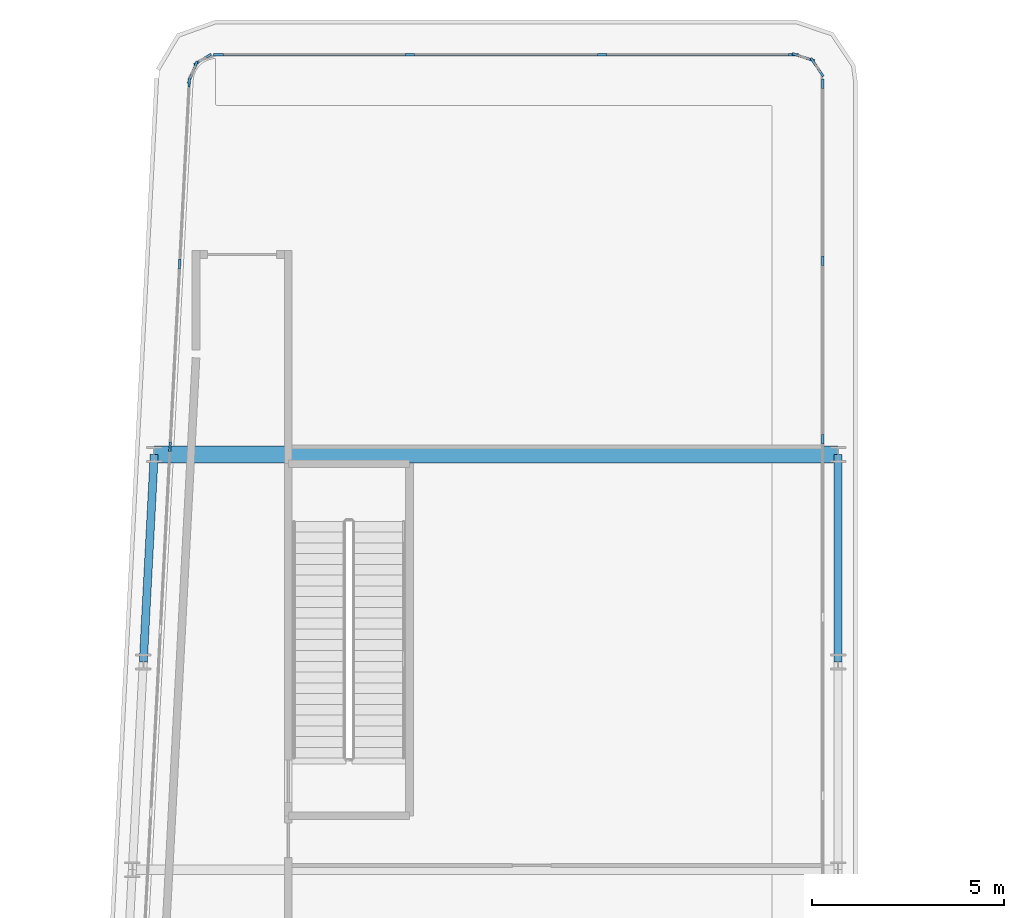
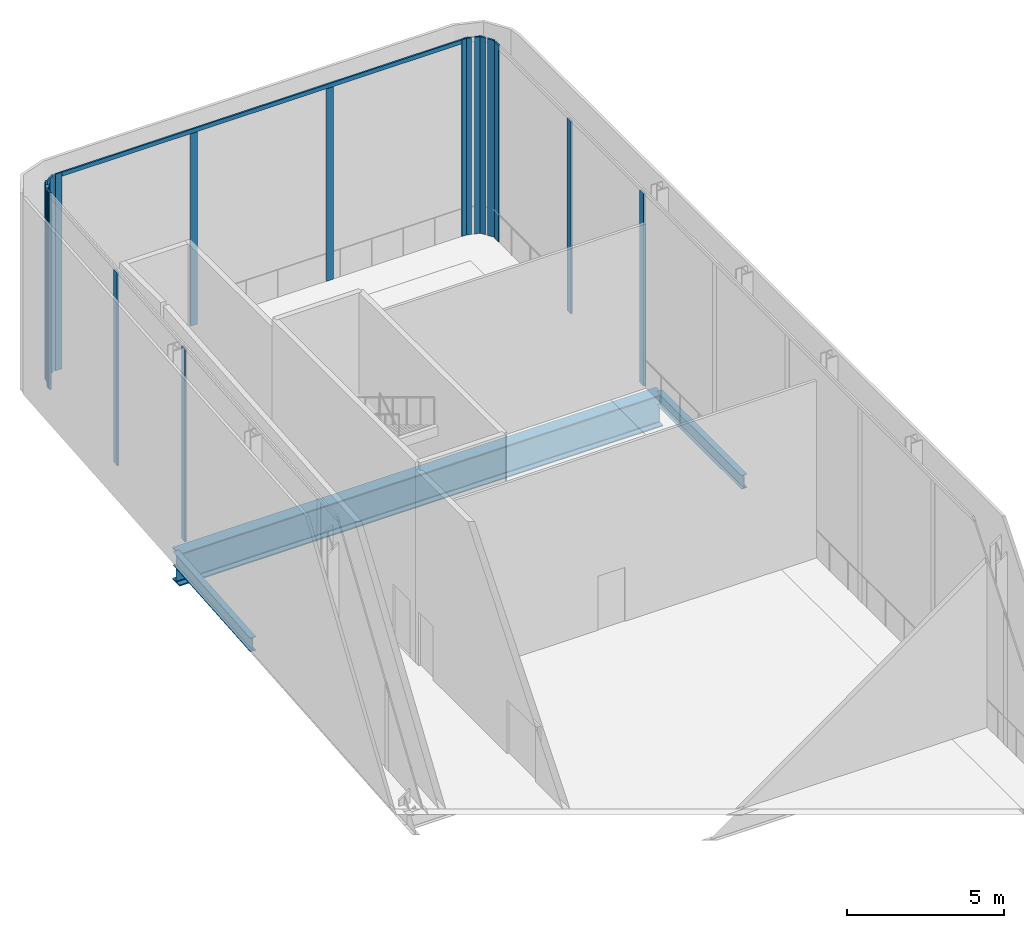
# One storey, part 18 of 38: 19 members, 3 beams, 7 elements without a shape of their own.
"""IFC4 building model written with IfcOpenShell, lengths in metres."""

from ifc_helpers import new_model, si_unit, direction, frame, origin, origin_2d, place, context, subcontext, project, spatial, rectangle, i_section, extrude, material, layer, layer_set, material_profile, profile_set, type_object, element, aggregate, save


model = new_model("IFC4")

# Units and contexts
model_context = context("Model", 3, precision=1e-05, world=origin(), true_north=direction((0.0, 1.0)))
body_context = subcontext(model_context, "Body", "Model", "MODEL_VIEW")
ifc_project = project(units=[si_unit("LENGTHUNIT", "METRE"), si_unit("AREAUNIT", "SQUARE_METRE"), si_unit("VOLUMEUNIT", "CUBIC_METRE"), si_unit("PLANEANGLEUNIT", "RADIAN"), si_unit("MASSUNIT", "GRAM", prefix="KILO")], contexts=[model_context])

# Site, building, storey
site_placement = place(None, origin())
site = spatial("IfcSite", under=ifc_project, at=site_placement, CompositionType="ELEMENT")
building_placement = place(site_placement, origin())
building = spatial("IfcBuilding", under=site, at=building_placement, Name="Kheshtan School and Residences Tower", CompositionType="ELEMENT")
storey_placement = place(building_placement, frame((0.0, 0.0, 203.300048828125)))
storey = spatial("IfcBuildingStorey", under=building, at=storey_placement, Name="L48", CompositionType="ELEMENT", Elevation=203.300048828125)

# Beams
ifc_material_1 = material(Name="Steel ASTM A992 Grade 50", Category="steel")
ifc_material_profile_1 = material_profile(ifc_material_1, i_section(OverallWidth=0.208984375, OverallDepth=0.532958984375, WebThickness=0.01025390625, FlangeThickness=0.015625, FilletRadius=0.013916015625, at=origin_2d()), Name="W530x92")
ifc_profile_set_1 = profile_set([ifc_material_profile_1], Name="Steel ASTM A992 Grade 50")
beam_type_1 = type_object("IfcBeamType", Name="Beam SP3 W530x92 ASTM A992 Grade 50", PredefinedType="BEAM", material=ifc_profile_set_1)
beam_1_placement = place(storey_placement, frame((47.60009765625, 88.800048828125, -0.41650390625), z_axis=(0.0, -1.0, 0.0), x_axis=(1.0, 0.0, 0.0)))
element("IfcBeam", 1, at=beam_1_placement, inside=storey, type_object=beam_type_1, Name="Spandrel beam C099-C091", PredefinedType="BEAM", context=body_context, shape_type="SweptSolid", body=[
    extrude(i_section(OverallWidth=0.208984375, OverallDepth=0.532958984375, WebThickness=0.01025390625, FlangeThickness=0.015625, FilletRadius=0.013916015625, at=origin_2d()), origin(), (0.0, 0.0, 1.0), 5.400146484375),
])
beam_2_placement = place(storey_placement, frame((29.527099609375, 83.39990234375, -0.41650390625), z_axis=(0.05250670125, 0.998620571751, 0.0), x_axis=(-0.998620571751, 0.05250670125, 0.0)))
element("IfcBeam", 2, at=beam_2_placement, inside=storey, type_object=beam_type_1, Name="Spandrel beam C090-C098", PredefinedType="BEAM", context=body_context, shape_type="SweptSolid", body=[
    extrude(i_section(OverallWidth=0.208984375, OverallDepth=0.532958984375, WebThickness=0.01025390625, FlangeThickness=0.015625, FilletRadius=0.013916015625, at=origin_2d()), origin(), (0.0, 0.0, 1.0), 5.40771484375),
])

# Curtain wall, members
ifc_material_2 = material(Name="Clear low-e glass in thermally broken aluminium frame", Category="aluminium")
ifc_layer = layer(ifc_material_2, 0.25)
ifc_layer_set = layer_set([ifc_layer], Name="Curtain wall CW-K")
curtain_wall_type = type_object("IfcCurtainWallType", Name="Curtain wall CW-K", PredefinedType="NOTDEFINED", material=ifc_layer_set)
curtain_wall_1_placement = place(storey_placement, origin())
curtain_wall_1 = element("IfcCurtainWall", 3, at=curtain_wall_1_placement, inside=storey, type_object=curtain_wall_type, Name="Curtain wall CWK18", PredefinedType="NOTDEFINED")
ifc_material_3 = material(Name="Thermally broken aluminium, dark bronze anodised", Category="aluminium")
ifc_material_profile_2 = material_profile(ifc_material_3, rectangle(XDim=0.06005859375, YDim=0.25, at=origin_2d()), Name="CW-K mullion 60x250")
ifc_profile_set_2 = profile_set([ifc_material_profile_2], Name="Thermally broken aluminium, dark bronze anodised")
member_type_1 = type_object("IfcMemberType", Name="CW-K mullion 60x250", PredefinedType="MULLION", material=ifc_profile_set_2)
member_1_placement = place(storey_placement, frame((30.221923828125, 89.001953125, 0.0), z_axis=(0.0, 0.0, 1.0), x_axis=(-0.998617497599, 0.05256513568, 0.0)))
member_1 = element("IfcMember", 4, at=member_1_placement, type_object=member_type_1, Name="CWK18 mullion 13", PredefinedType="MULLION", context=body_context, shape_type="SweptSolid", body=[
    extrude(rectangle(XDim=0.06005859375, YDim=0.25, at=origin_2d()), origin(), (0.0, 0.0, 1.0), 7.489990234375),
])
member_2_placement = place(storey_placement, frame((30.471923828125, 93.754150390625, 0.0), z_axis=(0.0, 0.0, 1.0), x_axis=(-0.998617497599, 0.05256513568, 0.0)))
member_2 = element("IfcMember", 5, at=member_2_placement, type_object=member_type_1, Name="CWK18 mullion 14", PredefinedType="MULLION", context=body_context, shape_type="SweptSolid", body=[
    extrude(rectangle(XDim=0.06005859375, YDim=0.25, at=origin_2d()), origin(), (0.0, 0.0, 1.0), 7.489990234375),
])
member_3_placement = place(storey_placement, frame((30.720458984375, 98.476318359375, 0.0), z_axis=(0.0, 0.0, 1.0), x_axis=(-0.998617497599, 0.05256513568, 0.0)))
member_3 = element("IfcMember", 6, at=member_3_placement, type_object=member_type_1, Name="CWK18 mullion 15", PredefinedType="MULLION", context=body_context, shape_type="SweptSolid", body=[
    extrude(rectangle(XDim=0.06005859375, YDim=0.25, at=origin_2d()), origin(), (0.0, 0.0, 1.0), 7.64990234375),
])
aggregate(curtain_wall_1, [member_1, member_2, member_3])

curtain_wall_2_placement = place(storey_placement, origin())
curtain_wall_2 = element("IfcCurtainWall", 7, at=curtain_wall_2_placement, inside=storey, type_object=curtain_wall_type, Name="Curtain wall CWK19", PredefinedType="NOTDEFINED")
member_4_placement = place(storey_placement, frame((30.740234375, 98.56591796875, 0.0), z_axis=(0.0, 0.0, 1.0), x_axis=(-0.928635523576, 0.370993348125, 0.0)))
member_4 = element("IfcMember", 8, at=member_4_placement, type_object=member_type_1, Name="CWK19 mullion 1", PredefinedType="MULLION", context=body_context, shape_type="SweptSolid", body=[
    extrude(rectangle(XDim=0.06005859375, YDim=0.25, at=origin_2d()), origin(), (0.0, 0.0, 1.0), 7.64990234375),
])
member_5_placement = place(storey_placement, frame((30.87890625, 98.913330078125, 0.0), z_axis=(0.0, 0.0, 1.0), x_axis=(-0.928635523576, 0.370993348125, 0.0)))
member_5 = element("IfcMember", 9, at=member_5_placement, type_object=member_type_1, Name="CWK19 mullion 2", PredefinedType="MULLION", context=body_context, shape_type="SweptSolid", body=[
    extrude(rectangle(XDim=0.06005859375, YDim=0.25, at=origin_2d()), origin(), (0.0, 0.0, 1.0), 7.64990234375),
])
aggregate(curtain_wall_2, [member_4, member_5])

curtain_wall_3_placement = place(storey_placement, origin())
curtain_wall_3 = element("IfcCurtainWall", 10, at=curtain_wall_3_placement, inside=storey, type_object=curtain_wall_type, Name="Curtain wall CWK20", PredefinedType="NOTDEFINED")
member_6_placement = place(storey_placement, frame((30.9560546875, 99.0048828125, 0.0), z_axis=(0.0, 0.0, 1.0), x_axis=(-0.52392646803, 0.851763497749, 0.0)))
member_6 = element("IfcMember", 11, at=member_6_placement, type_object=member_type_1, Name="CWK20 mullion 1", PredefinedType="MULLION", context=body_context, shape_type="SweptSolid", body=[
    extrude(rectangle(XDim=0.06005859375, YDim=0.25, at=origin_2d()), origin(), (0.0, 0.0, 1.0), 7.64990234375),
])
member_7_placement = place(storey_placement, frame((31.18310546875, 99.14453125, 0.0), z_axis=(0.0, 0.0, 1.0), x_axis=(-0.52392646803, 0.851763497749, 0.0)))
member_7 = element("IfcMember", 12, at=member_7_placement, type_object=member_type_1, Name="CWK20 mullion 2", PredefinedType="MULLION", context=body_context, shape_type="SweptSolid", body=[
    extrude(rectangle(XDim=0.06005859375, YDim=0.25, at=origin_2d()), origin(), (0.0, 0.0, 1.0), 7.64990234375),
])
aggregate(curtain_wall_3, [member_6, member_7])

curtain_wall_4_placement = place(storey_placement, origin())
curtain_wall_4 = element("IfcCurtainWall", 13, at=curtain_wall_4_placement, inside=storey, type_object=curtain_wall_type, Name="Curtain wall CWK21", PredefinedType="NOTDEFINED")
member_8_placement = place(storey_placement, frame((31.48388671875, 99.199951171875, 0.0), z_axis=(0.0, 0.0, 1.0), x_axis=(0.0, 1.0, 0.0)))
member_8 = element("IfcMember", 14, at=member_8_placement, type_object=member_type_1, Name="CWK21 mullion 1", PredefinedType="MULLION", context=body_context, shape_type="SweptSolid", body=[
    extrude(rectangle(XDim=0.06005859375, YDim=0.25, at=origin_2d()), origin(), (0.0, 0.0, 1.0), 7.64990234375),
])
member_9_placement = place(storey_placement, frame((36.459228515625, 99.199951171875, 0.0), z_axis=(0.0, 0.0, 1.0), x_axis=(0.0, 1.0, 0.0)))
member_9 = element("IfcMember", 15, at=member_9_placement, type_object=member_type_1, Name="CWK21 mullion 2", PredefinedType="MULLION", context=body_context, shape_type="SweptSolid", body=[
    extrude(rectangle(XDim=0.06005859375, YDim=0.25, at=origin_2d()), origin(), (0.0, 0.0, 1.0), 7.489990234375),
])
member_10_placement = place(storey_placement, frame((41.464599609375, 99.199951171875, 0.0), z_axis=(0.0, 0.0, 1.0), x_axis=(0.0, 1.0, 0.0)))
member_10 = element("IfcMember", 16, at=member_10_placement, type_object=member_type_1, Name="CWK21 mullion 3", PredefinedType="MULLION", context=body_context, shape_type="SweptSolid", body=[
    extrude(rectangle(XDim=0.06005859375, YDim=0.25, at=origin_2d()), origin(), (0.0, 0.0, 1.0), 7.489990234375),
])
member_11_placement = place(storey_placement, frame((46.43994140625, 99.199951171875, 0.0), z_axis=(0.0, 0.0, 1.0), x_axis=(0.0, 1.0, 0.0)))
member_11 = element("IfcMember", 17, at=member_11_placement, type_object=member_type_1, Name="CWK21 mullion 4", PredefinedType="MULLION", context=body_context, shape_type="SweptSolid", body=[
    extrude(rectangle(XDim=0.06005859375, YDim=0.25, at=origin_2d()), origin(), (0.0, 0.0, 1.0), 7.64990234375),
])

curtain_wall_5_placement = place(storey_placement, origin())
curtain_wall_5 = element("IfcCurtainWall", 18, at=curtain_wall_5_placement, inside=storey, type_object=curtain_wall_type, Name="Curtain wall CWK22", PredefinedType="NOTDEFINED")
member_12_placement = place(storey_placement, frame((46.529052734375, 99.18603515625, 0.0), z_axis=(0.0, 0.0, 1.0), x_axis=(0.303900450271, 0.952703792543, 0.0)))
member_12 = element("IfcMember", 19, at=member_12_placement, type_object=member_type_1, Name="CWK22 mullion 1", PredefinedType="MULLION", context=body_context, shape_type="SweptSolid", body=[
    extrude(rectangle(XDim=0.06005859375, YDim=0.25, at=origin_2d()), origin(), (0.0, 0.0, 1.0), 7.64990234375),
])
member_13_placement = place(storey_placement, frame((46.86669921875, 99.078369140625, 0.0), z_axis=(0.0, 0.0, 1.0), x_axis=(0.303900450271, 0.952703792543, 0.0)))
member_13 = element("IfcMember", 20, at=member_13_placement, type_object=member_type_1, Name="CWK22 mullion 2", PredefinedType="MULLION", context=body_context, shape_type="SweptSolid", body=[
    extrude(rectangle(XDim=0.06005859375, YDim=0.25, at=origin_2d()), origin(), (0.0, 0.0, 1.0), 7.64990234375),
])
aggregate(curtain_wall_5, [member_12, member_13])

curtain_wall_6_placement = place(storey_placement, origin())
curtain_wall_6 = element("IfcCurtainWall", 21, at=curtain_wall_6_placement, inside=storey, type_object=curtain_wall_type, Name="Curtain wall CWK23", PredefinedType="NOTDEFINED")
member_14_placement = place(storey_placement, frame((46.96484375, 99.004638671875, 0.0), z_axis=(0.0, 0.0, 1.0), x_axis=(0.831648992198, 0.555301678168, 0.0)))
member_14 = element("IfcMember", 22, at=member_14_placement, type_object=member_type_1, Name="CWK23 mullion 1", PredefinedType="MULLION", context=body_context, shape_type="SweptSolid", body=[
    extrude(rectangle(XDim=0.06005859375, YDim=0.25, at=origin_2d()), origin(), (0.0, 0.0, 1.0), 7.64990234375),
])
member_15_placement = place(storey_placement, frame((47.14453125, 98.735595703125, 0.0), z_axis=(0.0, 0.0, 1.0), x_axis=(0.831648992198, 0.555301678168, 0.0)))
member_15 = element("IfcMember", 23, at=member_15_placement, type_object=member_type_1, Name="CWK23 mullion 2", PredefinedType="MULLION", context=body_context, shape_type="SweptSolid", body=[
    extrude(rectangle(XDim=0.06005859375, YDim=0.25, at=origin_2d()), origin(), (0.0, 0.0, 1.0), 7.64990234375),
])
aggregate(curtain_wall_6, [member_14, member_15])

curtain_wall_7_placement = place(storey_placement, origin())
curtain_wall_7 = element("IfcCurtainWall", 24, at=curtain_wall_7_placement, inside=storey, type_object=curtain_wall_type, Name="Curtain wall CWK24", PredefinedType="NOTDEFINED")
member_16_placement = place(storey_placement, frame((47.199951171875, 98.43994140625, 0.0), z_axis=(0.0, 0.0, 1.0), x_axis=(1.0, 0.0, 0.0)))
member_16 = element("IfcMember", 25, at=member_16_placement, type_object=member_type_1, Name="CWK24 mullion 1", PredefinedType="MULLION", context=body_context, shape_type="SweptSolid", body=[
    extrude(rectangle(XDim=0.06005859375, YDim=0.25, at=origin_2d()), origin(), (0.0, 0.0, 1.0), 7.64990234375),
])
member_17_placement = place(storey_placement, frame((47.199951171875, 93.83349609375, 0.0), z_axis=(0.0, 0.0, 1.0), x_axis=(1.0, 0.0, 0.0)))
member_17 = element("IfcMember", 26, at=member_17_placement, type_object=member_type_1, Name="CWK24 mullion 2", PredefinedType="MULLION", context=body_context, shape_type="SweptSolid", body=[
    extrude(rectangle(XDim=0.06005859375, YDim=0.25, at=origin_2d()), origin(), (0.0, 0.0, 1.0), 7.489990234375),
])
member_18_placement = place(storey_placement, frame((47.199951171875, 89.197021484375, 0.0), z_axis=(0.0, 0.0, 1.0), x_axis=(1.0, 0.0, 0.0)))
member_18 = element("IfcMember", 27, at=member_18_placement, type_object=member_type_1, Name="CWK24 mullion 3", PredefinedType="MULLION", context=body_context, shape_type="SweptSolid", body=[
    extrude(rectangle(XDim=0.06005859375, YDim=0.25, at=origin_2d()), origin(), (0.0, 0.0, 1.0), 7.489990234375),
])
aggregate(curtain_wall_7, [member_16, member_17, member_18])

# Member
ifc_material_profile_3 = material_profile(ifc_material_3, rectangle(XDim=0.06005859375, YDim=0.159912109375, at=origin_2d()), Name="CW-K transom 60x160")
ifc_profile_set_3 = profile_set([ifc_material_profile_3], Name="Thermally broken aluminium, dark bronze anodised")
member_type_2 = type_object("IfcMemberType", Name="CW-K transom 60x160", PredefinedType="USERDEFINED", material=ifc_profile_set_3)
member_19_placement = place(storey_placement, frame((31.513916015625, 99.199951171875, 7.570068359375), z_axis=(1.0, 0.0, 0.0), x_axis=(0.0, 1.0, 0.0)))
member_19 = element("IfcMember", 28, at=member_19_placement, type_object=member_type_2, Name="CWK21 transom 1", ObjectType="TRANSOM", PredefinedType="USERDEFINED", context=body_context, shape_type="SweptSolid", body=[
    extrude(rectangle(XDim=0.06005859375, YDim=0.159912109375, at=origin_2d()), origin(), (0.0, 0.0, 1.0), 14.89599609375),
])

aggregate(curtain_wall_4, [member_8, member_9, member_10, member_11, member_19])

# Beam
ifc_material_profile_4 = material_profile(ifc_material_1, i_section(OverallWidth=0.449951171875, OverallDepth=1.25, WebThickness=0.02490234375, FlangeThickness=0.044921875, FilletRadius=0.03759765625, at=origin_2d()), Name="WWF1250x546")
ifc_profile_set_4 = profile_set([ifc_material_profile_4], Name="Steel ASTM A992 Grade 50")
beam_type_2 = type_object("IfcBeamType", Name="Transfer girder TG4 WWF1250x546 ASTM A992 Grade 50", PredefinedType="BEAM", material=ifc_profile_set_4)
beam_3_placement = place(storey_placement, frame((29.81103515625, 88.800048828125, -0.775146484375), z_axis=(1.0, 0.0, 0.0), x_axis=(0.0, 1.0, 0.0)))
element("IfcBeam", 29, at=beam_3_placement, inside=storey, type_object=beam_type_2, Name="Transfer girder C098-C099", PredefinedType="BEAM", context=body_context, shape_type="SweptSolid", body=[
    extrude(i_section(OverallWidth=0.449951171875, OverallDepth=1.25, WebThickness=0.02490234375, FlangeThickness=0.044921875, FilletRadius=0.03759765625, at=origin_2d()), origin(), (0.0, 0.0, 1.0), 17.7890625),
])

save(model, "model.ifc")
